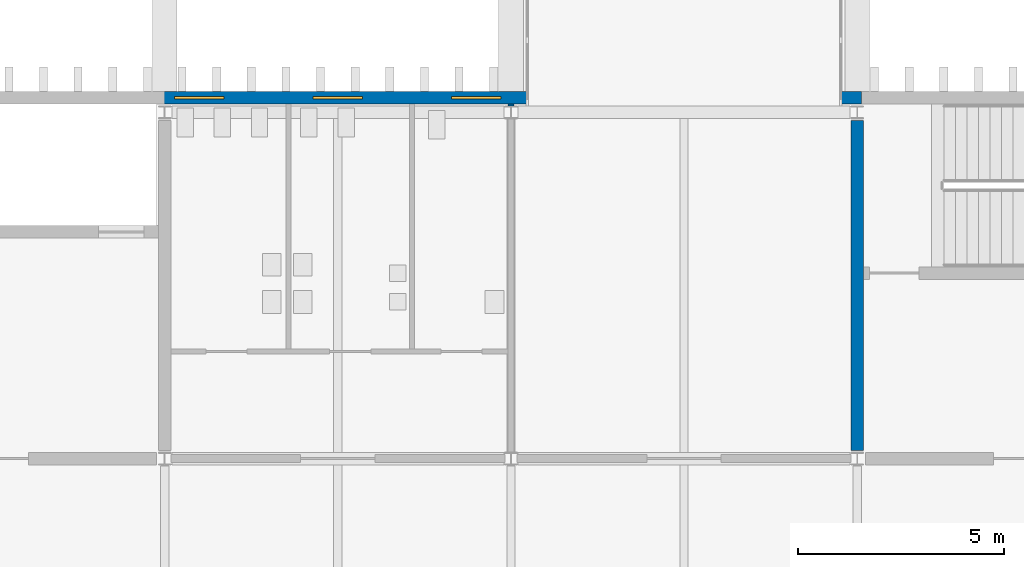
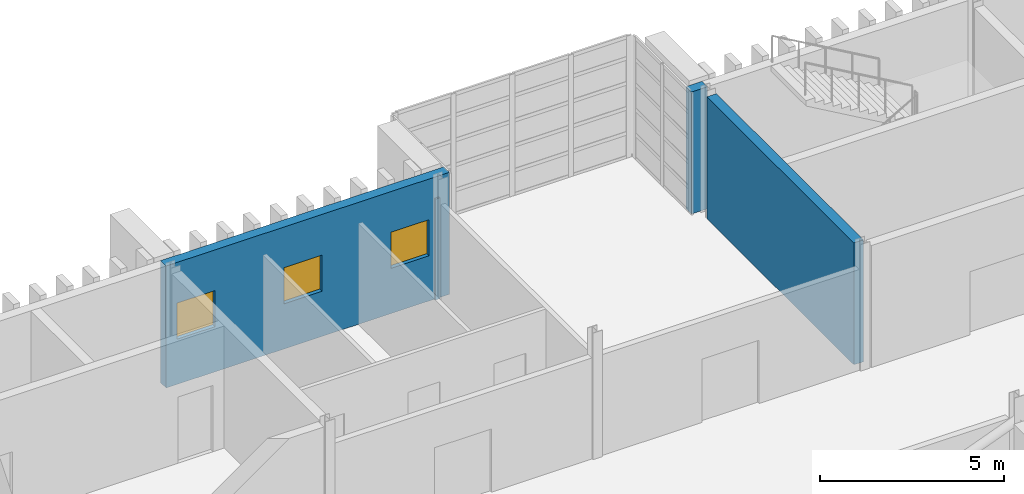
# One storey, part 67 of 100: 4 walls, 3 windows, 3 openings.
"""IFC4 building model written with IfcOpenShell, lengths in metres."""

import ifcopenshell
import ifcopenshell.guid

model = None  # the IFC model being written
_history = None  # IfcOwnerHistory: only IFC2X3 demands one
_inside = {}  # id of a spatial element -> (the spatial element, [elements in it])
_under = {}  # id of a project, library or spatial element -> (it, [spatial elements below it])
_declared = {}  # id of a project -> (the project, [libraries it declares])
_typed = {}  # id of a type object -> (the type object, [elements of that type])
_made_of = {}  # id of a material, layer set ... -> (it, [elements and type objects made of it])


def new_model(schema):
    """Start an empty IFC model of exactly this schema.

    Asked for "IFC4X3", IfcOpenShell would pick the latest addendum, in which some entities
    have other attributes; the version numbers below select the first issue.
    IFC2X3 requires an IfcOwnerHistory on every rooted entity: one is made here for all.
    """
    global model, _history
    if schema == "IFC4X3":
        model = ifcopenshell.file(schema_version=(4, 3, 0, 0))
    else:
        model = ifcopenshell.file(schema=schema)
    _inside.clear()
    _under.clear()
    _declared.clear()
    _typed.clear()
    _made_of.clear()
    _history = None
    if model.schema == "IFC2X3":
        org = make("IfcOrganization", Name="unknown")
        user = make(
            "IfcPersonAndOrganization",
            ThePerson=make("IfcPerson", FamilyName="unknown"),
            TheOrganization=org,
        )
        app = make(
            "IfcApplication",
            ApplicationDeveloper=org,
            Version="unknown",
            ApplicationFullName="unknown",
            ApplicationIdentifier="unknown",
        )
        _history = make(
            "IfcOwnerHistory",
            OwningUser=user,
            OwningApplication=app,
            ChangeAction="ADDED",
            CreationDate=0,
        )
    return model


def make(cls, **values):
    """One entity of the class cls with the attributes given. An attribute that is None is left unset."""
    return model.create_entity(
        cls, **{name: value for name, value in values.items() if value is not None}
    )


def rooted(cls, **values):
    """An entity with a GlobalId (a new one), such as an element, a storey or a relation."""
    return make(cls, GlobalId=ifcopenshell.guid.new(), OwnerHistory=_history, **values)


def si_unit(unit_type, name, prefix=None):
    """IfcSIUnit, for example si_unit("LENGTHUNIT", "METRE", prefix="MILLI")."""
    return make("IfcSIUnit", UnitType=unit_type, Prefix=prefix, Name=name)


def assignment(units):
    """IfcUnitAssignment: the units of a project."""
    return None if units is None else make("IfcUnitAssignment", Units=units)


def point(xyz):
    """IfcCartesianPoint."""
    return None if xyz is None else make("IfcCartesianPoint", Coordinates=xyz)


def direction(xyz):
    """IfcDirection."""
    return None if xyz is None else make("IfcDirection", DirectionRatios=xyz)


def frame(location, z_axis=None, x_axis=None):
    """IfcAxis2Placement3D, a coordinate frame: its origin and axes. An axis left out is left unset."""
    return make(
        "IfcAxis2Placement3D",
        Location=point(location),
        Axis=direction(z_axis),
        RefDirection=direction(x_axis),
    )


def frame_2d(location, x_axis=None):
    """IfcAxis2Placement2D, a coordinate frame in the plane: its origin and x axis."""
    return make(
        "IfcAxis2Placement2D", Location=point(location), RefDirection=direction(x_axis)
    )


def origin():
    """The frame at (0, 0, 0) with its axes left unset."""
    return frame((0.0, 0.0, 0.0))


def place(relative_to, where):
    """IfcLocalPlacement: puts the frame where relative to a parent placement (None: the world)."""
    return make(
        "IfcLocalPlacement", PlacementRelTo=relative_to, RelativePlacement=where
    )


def context(
    kind, dimensions, precision=None, world=None, true_north=None, identifier=None
):
    """IfcGeometricRepresentationContext, for example the 3D "Model" context."""
    return make(
        "IfcGeometricRepresentationContext",
        ContextIdentifier=identifier,
        ContextType=kind,
        CoordinateSpaceDimension=dimensions,
        Precision=precision,
        WorldCoordinateSystem=world,
        TrueNorth=true_north,
    )


def subcontext(parent, identifier, kind, view, scale=None):
    """IfcGeometricRepresentationSubContext, for example "Body" below "Model"."""
    return make(
        "IfcGeometricRepresentationSubContext",
        ContextIdentifier=identifier,
        ContextType=kind,
        ParentContext=parent,
        TargetScale=scale,
        TargetView=view,
    )


def project(units=None, contexts=None):
    """IfcProject with its units and contexts."""
    return rooted(
        "IfcProject",
        Name="project",
        RepresentationContexts=contexts,
        UnitsInContext=assignment(units),
    )


def spatial(cls, under=None, at=None, **own):
    """A site, building, storey or space (cls), placed at a placement, below another one or the project."""
    s = rooted(cls, ObjectPlacement=at, **own)
    if under is not None:
        _under.setdefault(under.id(), (under, []))[1].append(s)
    return s


def profile(cls, at=None, kind="AREA", **sizes):
    """A parametric profile (cls). Its sizes go by their IFC names, for example OverallWidth=200.0."""
    return make(cls, ProfileType=kind, Position=at, **sizes)


def rectangle(**sizes):
    """IfcRectangleProfileDef."""
    return profile("IfcRectangleProfileDef", **sizes)


def extrude(swept, where, along, depth):
    """IfcExtrudedAreaSolid: the profile swept, set in the frame where, extruded along a direction by depth."""
    return make(
        "IfcExtrudedAreaSolid",
        SweptArea=swept,
        Position=where,
        ExtrudedDirection=direction(along),
        Depth=depth,
    )


def shape(context_of_items, identifier, shape_type, items):
    """IfcShapeRepresentation: the items that make up one representation, for example the "Body"."""
    return make(
        "IfcShapeRepresentation",
        ContextOfItems=context_of_items,
        RepresentationIdentifier=identifier,
        RepresentationType=shape_type,
        Items=items,
    )


def material(Name=None, Category=None):
    """IfcMaterial."""
    return make("IfcMaterial", Name=Name, Category=Category)


def layer(
    of_material, thickness, ventilated=None, Name=None, Category=None, Priority=None
):
    """IfcMaterialLayer: one layer of a wall or slab, of a material (None: an air gap)."""
    return make(
        "IfcMaterialLayer",
        Material=of_material,
        LayerThickness=thickness,
        IsVentilated=ventilated,
        Name=Name,
        Category=Category,
        Priority=Priority,
    )


def layer_set(layers, Name=None):
    """IfcMaterialLayerSet."""
    return make("IfcMaterialLayerSet", MaterialLayers=layers, LayerSetName=Name)


def made_of(thing, what):
    """Note that an element or type object is made of a material, layer set ...; save() writes the relation."""
    if what is not None:
        _made_of.setdefault(what.id(), (what, []))[1].append(thing)
    return thing


def type_object(cls, material=None, **own):
    """A type object (cls), such as IfcWallType, which elements share."""
    return made_of(rooted(cls, **own), material)


def element(
    cls,
    number,
    at=None,
    inside=None,
    cuts=None,
    type_object=None,
    material=None,
    context=None,
    identifier="Body",
    shape_type=None,
    held_by="IfcProductDefinitionShape",
    body=None,
    shapes=None,
    **own,
):
    """One element of the class cls, such as IfcWall. Its Tag is "e" and its number.

    at: its placement. inside: the storey or other place that contains it. cuts: it is an
    opening in that element (IfcRelVoidsElement). A single representation is given by context,
    identifier, shape_type and body (its items); several are given by shapes. held_by: the class
    of the entity that holds the representations. save() writes the other relations.
    """
    e = rooted(cls, Tag="e%d" % number, ObjectPlacement=at, **own)
    if body is not None:
        shapes = [shape(context, identifier, shape_type, body)]
    if shapes is not None:
        e.Representation = make(held_by, Representations=shapes)
    if inside is not None:
        _inside.setdefault(inside.id(), (inside, []))[1].append(e)
    if cuts is not None:
        rooted(
            "IfcRelVoidsElement", RelatingBuildingElement=cuts, RelatedOpeningElement=e
        )
    if type_object is not None:
        _typed.setdefault(type_object.id(), (type_object, []))[1].append(e)
    return made_of(e, material)


def fill(opening, filler):
    """IfcRelFillsElement: the door or window that sits in an opening."""
    return rooted(
        "IfcRelFillsElement",
        RelatingOpeningElement=opening,
        RelatedBuildingElement=filler,
    )


def aggregate(whole, parts):
    """IfcRelAggregates: a whole, such as a stair, and the parts it consists of."""
    return rooted("IfcRelAggregates", RelatingObject=whole, RelatedObjects=parts)


def save(model, path):
    """Write the relations noted so far, then the file.

    IfcRelAggregates (storeys below a building ...), IfcRelContainedInSpatialStructure (elements
    in a storey), IfcRelDefinesByType, IfcRelAssociatesMaterial and IfcRelDeclares: one each for
    every whole, place, type object, material and project.
    """
    for whole, parts in _under.values():
        aggregate(whole, parts)
    for where, things in _inside.values():
        rooted(
            "IfcRelContainedInSpatialStructure",
            RelatedElements=things,
            RelatingStructure=where,
        )
    for kind, things in _typed.values():
        rooted("IfcRelDefinesByType", RelatedObjects=things, RelatingType=kind)
    for what, things in _made_of.values():
        rooted("IfcRelAssociatesMaterial", RelatedObjects=things, RelatingMaterial=what)
    for by, libraries in _declared.values():
        rooted("IfcRelDeclares", RelatingContext=by, RelatedDefinitions=libraries)
    model.write(path)


model = new_model("IFC4")

# Units and contexts
model_context = context("Model", 3, precision=1e-05, world=origin(), true_north=direction((0.0, 1.0)))
body_context = subcontext(model_context, "Body", "Model", "MODEL_VIEW")
ifc_project = project(units=[si_unit("LENGTHUNIT", "METRE"), si_unit("AREAUNIT", "SQUARE_METRE"), si_unit("VOLUMEUNIT", "CUBIC_METRE"), si_unit("PLANEANGLEUNIT", "RADIAN"), si_unit("MASSUNIT", "GRAM", prefix="KILO")], contexts=[model_context])

# Site, building, storey
site_placement = place(None, origin())
site = spatial("IfcSite", under=ifc_project, at=site_placement, CompositionType="ELEMENT")
building_placement = place(site_placement, origin())
building = spatial("IfcBuilding", under=site, at=building_placement, Name="Cresset Court Congress Hotel", CompositionType="ELEMENT")
storey_placement = place(building_placement, frame((0.0, 0.0, 10.199951171875)))
storey = spatial("IfcBuildingStorey", under=building, at=storey_placement, Name="L02", CompositionType="ELEMENT", Elevation=10.199951171875)

# Wall
ifc_material_1 = material(Name="Concrete C50", Category="concrete")
ifc_layer_1 = layer(ifc_material_1, 0.300048828125)
ifc_layer_set_1 = layer_set([ifc_layer_1], Name="Core wall 300 Concrete C50")
wall_type_1 = type_object("IfcWallType", Name="Core wall 300 Concrete C50", PredefinedType="SHEAR", material=ifc_layer_set_1)
wall_1_placement = place(storey_placement, frame((134.39990234375, 17.0, 0.0), z_axis=(0.0, 0.0, 1.0), x_axis=(0.0, 1.0, 0.0)))
element("IfcWall", 1, at=wall_1_placement, inside=storey, type_object=wall_type_1, Name="Core wall ST-B5", PredefinedType="SHEAR", context=body_context, shape_type="SweptSolid", body=[
    extrude(rectangle(XDim=8.0, YDim=0.300048828125, at=frame_2d((4.0, 0.0))), origin(), (0.0, 0.0, 1.0), 4.050048828125),
])

# Wall, openings, windows
ifc_material_2 = material(Name="Concrete C40", Category="concrete")
ifc_layer_2 = layer(ifc_material_2, 0.300048828125)
ifc_layer_set_2 = layer_set([ifc_layer_2], Name="External wall 300 Concrete C40")
wall_type_2 = type_object("IfcWallType", Name="External wall 300 Concrete C40", PredefinedType="SOLIDWALL", material=ifc_layer_set_2)
wall_2_placement = place(storey_placement, frame((117.5, 25.550048828125, 0.0), z_axis=(0.0, 0.0, 1.0), x_axis=(1.0, 0.0, 0.0)))
wall_2 = element("IfcWall", 2, at=wall_2_placement, inside=storey, type_object=wall_type_2, Name="External wall", PredefinedType="SOLIDWALL", context=body_context, shape_type="SweptSolid", body=[
    extrude(rectangle(XDim=8.89990234375, YDim=0.300048828125, at=frame_2d((4.449951171875, 0.0))), origin(), (0.0, 0.0, 1.0), 4.050048828125),
])
opening_1_placement = place(wall_2_placement, frame((0.340087890625, 0.0, 1.5)))
opening_1 = element("IfcOpeningElement", 3, at=opening_1_placement, cuts=wall_2, Name="Opening NB-02-64", PredefinedType="OPENING", context=body_context, shape_type="SweptSolid", body=[
    extrude(rectangle(XDim=1.199951171875, YDim=1.199951171875, at=frame_2d((0.60009765625, 0.60009765625))), frame((0.0, 0.159912109375, 0.0), z_axis=(0.0, -1.0, 0.0), x_axis=(1.0, 0.0, 0.0)), (0.0, 0.0, 1.0), 0.320068359375),
])
opening_2_placement = place(wall_2_placement, frame((3.699951171875, 0.0, 1.5)))
opening_2 = element("IfcOpeningElement", 4, at=opening_2_placement, cuts=wall_2, Name="Opening NB-02-65", PredefinedType="OPENING", context=body_context, shape_type="SweptSolid", body=[
    extrude(rectangle(XDim=1.199951171875, YDim=1.199951171875, at=frame_2d((0.60009765625, 0.60009765625))), frame((0.0, 0.159912109375, 0.0), z_axis=(0.0, -1.0, 0.0), x_axis=(1.0, 0.0, 0.0)), (0.0, 0.0, 1.0), 0.320068359375),
])
opening_3_placement = place(wall_2_placement, frame((7.06005859375, 0.0, 1.5)))
opening_3 = element("IfcOpeningElement", 5, at=opening_3_placement, cuts=wall_2, Name="Opening NB-02-66", PredefinedType="OPENING", context=body_context, shape_type="SweptSolid", body=[
    extrude(rectangle(XDim=1.199951171875, YDim=1.199951171875, at=frame_2d((0.60009765625, 0.60009765625))), frame((0.0, 0.159912109375, 0.0), z_axis=(0.0, -1.0, 0.0), x_axis=(1.0, 0.0, 0.0)), (0.0, 0.0, 1.0), 0.320068359375),
])
ifc_material_3 = material(Name="Aluminium frame with double glazing", Category="aluminium")
window_type = type_object("IfcWindowType", Name="Window 1200x1200", PartitioningType="SINGLE_PANEL", PredefinedType="WINDOW", material=ifc_material_3)
window_1_placement = place(opening_1_placement, origin())
window_1 = element("IfcWindow", 6, at=window_1_placement, inside=storey, type_object=window_type, Name="Window NB-02-64", OverallHeight=1.199951171875, OverallWidth=1.199951171875, PartitioningType="SINGLE_PANEL", PredefinedType="WINDOW", context=body_context, shape_type="SweptSolid", body=[
    extrude(rectangle(XDim=1.199951171875, YDim=1.199951171875, at=frame_2d((0.60009765625, 0.60009765625))), frame((0.0, 0.030029296875, 0.0), z_axis=(0.0, -1.0, 0.0), x_axis=(1.0, 0.0, 0.0)), (0.0, 0.0, 1.0), 0.06005859375),
])
fill(opening_1, window_1)
window_2_placement = place(opening_2_placement, origin())
window_2 = element("IfcWindow", 7, at=window_2_placement, inside=storey, type_object=window_type, Name="Window NB-02-65", OverallHeight=1.199951171875, OverallWidth=1.199951171875, PartitioningType="SINGLE_PANEL", PredefinedType="WINDOW", context=body_context, shape_type="SweptSolid", body=[
    extrude(rectangle(XDim=1.199951171875, YDim=1.199951171875, at=frame_2d((0.60009765625, 0.60009765625))), frame((0.0, 0.030029296875, 0.0), z_axis=(0.0, -1.0, 0.0), x_axis=(1.0, 0.0, 0.0)), (0.0, 0.0, 1.0), 0.06005859375),
])
fill(opening_2, window_2)
window_3_placement = place(opening_3_placement, origin())
window_3 = element("IfcWindow", 8, at=window_3_placement, inside=storey, type_object=window_type, Name="Window NB-02-66", OverallHeight=1.199951171875, OverallWidth=1.199951171875, PartitioningType="SINGLE_PANEL", PredefinedType="WINDOW", context=body_context, shape_type="SweptSolid", body=[
    extrude(rectangle(XDim=1.199951171875, YDim=1.199951171875, at=frame_2d((0.60009765625, 0.60009765625))), frame((0.0, 0.030029296875, 0.0), z_axis=(0.0, -1.0, 0.0), x_axis=(1.0, 0.0, 0.0)), (0.0, 0.0, 1.0), 0.06005859375),
])
fill(opening_3, window_3)

# Walls
wall_3_placement = place(storey_placement, frame((134.0, 25.550048828125, 0.0), z_axis=(0.0, 0.0, 1.0), x_axis=(1.0, 0.0, 0.0)))
element("IfcWall", 9, at=wall_3_placement, inside=storey, type_object=wall_type_2, Name="External wall", PredefinedType="SOLIDWALL", context=body_context, shape_type="SweptSolid", body=[
    extrude(rectangle(XDim=0.5, YDim=0.300048828125, at=frame_2d((0.25, 0.0))), origin(), (0.0, 0.0, 1.0), 4.050048828125),
])
ifc_material_4 = material(Name="Gypsum board on steel studs", Category="steel")
ifc_layer_3 = layer(ifc_material_4, 0.14990234375)
ifc_layer_set_3 = layer_set([ifc_layer_3], Name="Partition 150")
wall_type_3 = type_object("IfcWallType", Name="Partition 150", PredefinedType="PARTITIONING", material=ifc_layer_set_3)
wall_4_placement = place(storey_placement, frame((126.0, 25.35009765625, 0.0), z_axis=(0.0, 0.0, 1.0), x_axis=(0.0, 1.0, 0.0)))
element("IfcWall", 10, at=wall_4_placement, inside=storey, type_object=wall_type_3, Name="Partition", PredefinedType="PARTITIONING", context=body_context, shape_type="SweptSolid", body=[
    extrude(rectangle(XDim=0.0498046875, YDim=0.14990234375, at=frame_2d((0.02490234375, 0.0))), origin(), (0.0, 0.0, 1.0), 3.35009765625),
])

save(model, "model.ifc")
